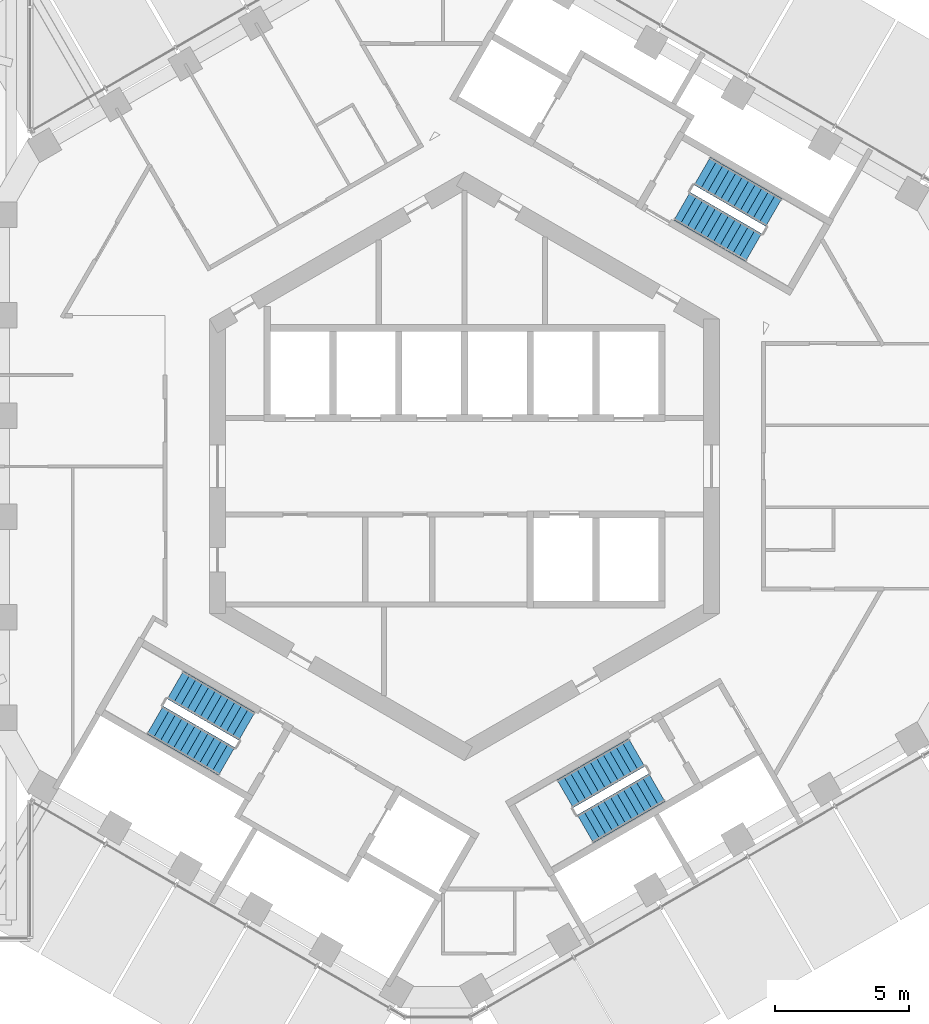
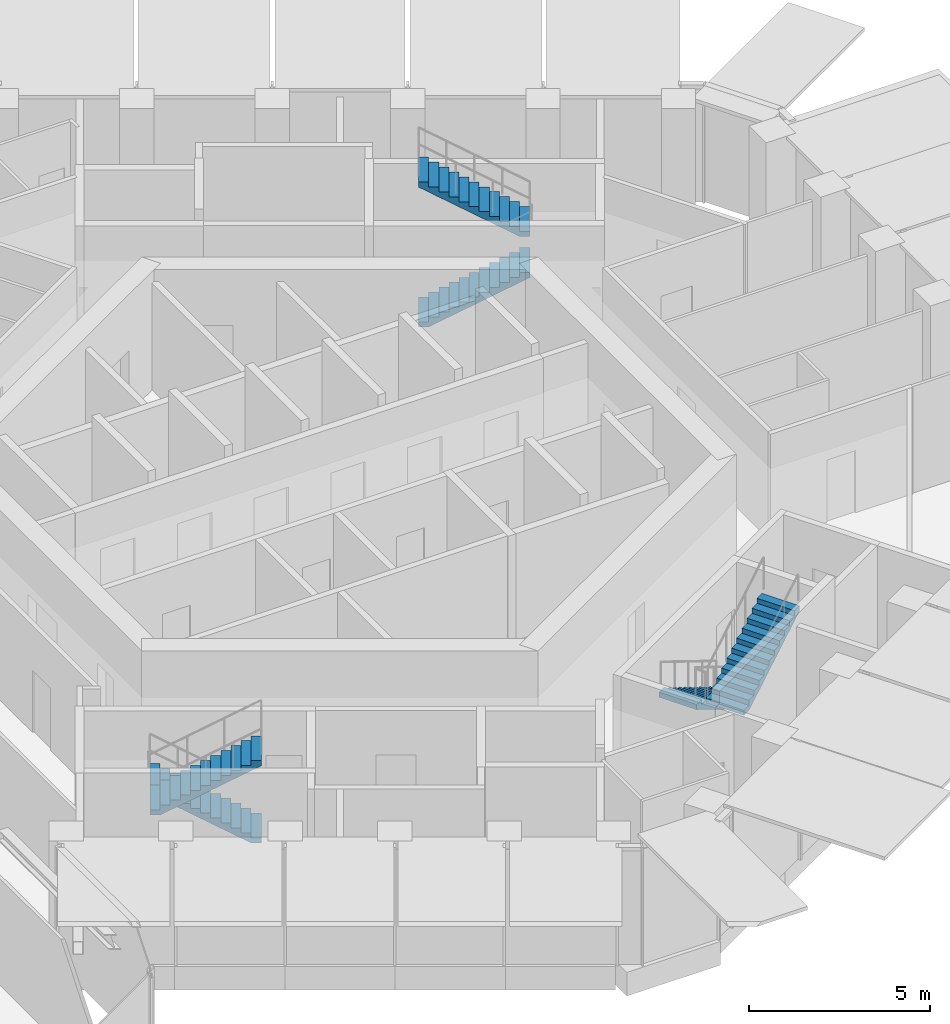
# One storey, part 22 of 24: 6 stair flights, 3 elements without a shape of their own.
"""IFC4 building model written with IfcOpenShell, lengths in metres."""

from ifc_helpers import new_model, si_unit, direction, frame, origin, place, context, subcontext, project, spatial, triangles, material, type_object, element, aggregate, save


model = new_model("IFC4")

# Units and contexts
model_context = context("Model", 3, precision=1e-05, world=origin(), true_north=direction((0.0, 1.0)))
body_context = subcontext(model_context, "Body", "Model", "MODEL_VIEW")
ifc_project = project(units=[si_unit("LENGTHUNIT", "METRE"), si_unit("AREAUNIT", "SQUARE_METRE"), si_unit("VOLUMEUNIT", "CUBIC_METRE"), si_unit("PLANEANGLEUNIT", "RADIAN"), si_unit("MASSUNIT", "GRAM", prefix="KILO")], contexts=[model_context])

# Site, building, storey
site_placement = place(None, origin())
site = spatial("IfcSite", under=ifc_project, at=site_placement, CompositionType="ELEMENT")
building_placement = place(site_placement, origin())
building = spatial("IfcBuilding", under=site, at=building_placement, Name="Ayvan Gate Tower", CompositionType="ELEMENT")
storey_placement = place(building_placement, frame((0.0, 0.0, 210.10009765625)))
storey = spatial("IfcBuildingStorey", under=building, at=storey_placement, Name="L56", CompositionType="ELEMENT", Elevation=210.10009765625)

# Stair, stair flights
ifc_material = material(Name="Concrete C40/50", Category="concrete")
stair_type = type_object("IfcStairType", Name="ST-EXIT", PredefinedType="HALF_TURN_STAIR", material=ifc_material)
stair_1_placement = place(storey_placement, origin())
stair_1 = element("IfcStair", 1, at=stair_1_placement, inside=storey, type_object=stair_type, Name="L56 Exit Stair S1", PredefinedType="HALF_TURN_STAIR")
stair_flight_type = type_object("IfcStairFlightType", Name="SFL-EXIT", PredefinedType="STRAIGHT", material=ifc_material)
stair_flight_1_placement = place(storey_placement, frame((8.106201171875, 9.690185546875, 0.0), z_axis=(0.0, 0.0, 1.0), x_axis=(0.866025403784, -0.5, 0.0)))
stair_flight_1 = element("IfcStairFlight", 2, at=stair_flight_1_placement, type_object=stair_flight_type, Name="STS1 flight 1", NumberOfRisers=12, NumberOfTreads=11, PredefinedType="STRAIGHT", RiserHeight=0.166666667, TreadLength=0.28, context=body_context, shape_type="Tessellation", body=[
    triangles([(0.293073, -0.599976, 0.0), (3.0805, -0.599976, 1.659182), (3.0805, -0.599976, 1.833333), (2.8, -0.599976, 1.833333), (2.8, -0.599976, 1.666667), (2.52, -0.599976, 1.666667), (2.52, -0.599976, 1.5), (2.24, -0.599976, 1.5), (2.24, -0.599976, 1.333333), (1.96, -0.599976, 1.333333), (1.96, -0.599976, 1.166667), (1.68, -0.599976, 1.166667), (1.68, -0.599976, 1.0), (1.4, -0.599976, 1.0), (1.4, -0.599976, 0.833333), (1.12, -0.599976, 0.833333), (1.12, -0.599976, 0.666667), (0.84, -0.599976, 0.666667), (0.84, -0.599976, 0.5), (0.56, -0.599976, 0.5), (0.56, -0.599976, 0.333333), (0.28, -0.599976, 0.333333), (0.28, -0.599976, 0.166667), (-0.0005, -0.599976, 0.166667), (-0.0005, -0.599976, 0.0), (0.293073, 0.0, 0.0), (3.0805, 0.0, 1.659182), (3.0805, 0.0, 1.833333), (2.8, 0.0, 1.833333), (2.8, 0.0, 1.666667), (2.52, 0.0, 1.666667), (2.52, 0.0, 1.5), (2.24, 0.0, 1.5), (2.24, 0.0, 1.333333), (1.96, 0.0, 1.333333), (1.96, 0.0, 1.166667), (1.68, 0.0, 1.166667), (1.68, 0.0, 1.0), (1.4, 0.0, 1.0), (1.4, 0.0, 0.833333), (1.12, 0.0, 0.833333), (1.12, 0.0, 0.666667), (0.84, 0.0, 0.666667), (0.84, 0.0, 0.5), (0.56, 0.0, 0.5), (0.56, 0.0, 0.333333), (0.28, 0.0, 0.333333), (0.28, 0.0, 0.166667), (-0.0005, 0.0, 0.166667), (-0.0005, 0.0, 0.0), (0.293073, 0.599976, 0.0), (3.0805, 0.599976, 1.659182), (3.0805, 0.599976, 1.833333), (2.8, 0.599976, 1.833333), (2.8, 0.599976, 1.666667), (2.52, 0.599976, 1.666667), (2.52, 0.599976, 1.5), (2.24, 0.599976, 1.5), (2.24, 0.599976, 1.333333), (1.96, 0.599976, 1.333333), (1.96, 0.599976, 1.166667), (1.68, 0.599976, 1.166667), (1.68, 0.599976, 1.0), (1.4, 0.599976, 1.0), (1.4, 0.599976, 0.833333), (1.12, 0.599976, 0.833333), (1.12, 0.599976, 0.666667), (0.84, 0.599976, 0.666667), (0.84, 0.599976, 0.5), (0.56, 0.599976, 0.5), (0.56, 0.599976, 0.333333), (0.28, 0.599976, 0.333333), (0.28, 0.599976, 0.166667), (-0.0005, 0.599976, 0.166667), (-0.0005, 0.599976, 0.0)], [[25, 1, 2], [75, 52, 51], [2, 3, 4], [52, 54, 53], [2, 4, 5], [52, 55, 54], [2, 5, 6], [52, 56, 55], [2, 6, 7], [52, 57, 56], [7, 8, 9], [57, 59, 58], [2, 7, 9], [52, 59, 57], [9, 10, 11], [59, 61, 60], [2, 9, 11], [52, 61, 59], [11, 12, 13], [61, 63, 62], [2, 11, 13], [52, 63, 61], [13, 14, 15], [63, 65, 64], [2, 13, 15], [52, 65, 63], [15, 16, 17], [65, 67, 66], [2, 15, 17], [52, 67, 65], [17, 18, 19], [67, 69, 68], [2, 17, 19], [52, 69, 67], [19, 20, 21], [69, 71, 70], [2, 19, 21], [52, 71, 69], [21, 22, 23], [71, 73, 72], [2, 21, 23], [52, 73, 71], [25, 2, 23], [75, 73, 52], [23, 24, 25], [73, 75, 74], [1, 26, 27], [1, 27, 2], [51, 27, 26], [51, 52, 27], [2, 27, 28], [2, 28, 3], [52, 28, 27], [52, 53, 28], [3, 28, 29], [3, 29, 4], [53, 29, 28], [53, 54, 29], [4, 29, 30], [4, 30, 5], [54, 30, 29], [54, 55, 30], [5, 30, 31], [5, 31, 6], [55, 31, 30], [55, 56, 31], [6, 31, 32], [6, 32, 7], [56, 32, 31], [56, 57, 32], [7, 32, 33], [7, 33, 8], [57, 33, 32], [57, 58, 33], [8, 33, 34], [8, 34, 9], [58, 34, 33], [58, 59, 34], [9, 34, 35], [9, 35, 10], [59, 35, 34], [59, 60, 35], [10, 35, 36], [10, 36, 11], [60, 36, 35], [60, 61, 36], [11, 36, 37], [11, 37, 12], [61, 37, 36], [61, 62, 37], [12, 37, 38], [12, 38, 13], [62, 38, 37], [62, 63, 38], [13, 38, 39], [13, 39, 14], [63, 39, 38], [63, 64, 39], [14, 39, 40], [14, 40, 15], [64, 40, 39], [64, 65, 40], [15, 40, 41], [15, 41, 16], [65, 41, 40], [65, 66, 41], [16, 41, 42], [16, 42, 17], [66, 42, 41], [66, 67, 42], [17, 42, 43], [17, 43, 18], [67, 43, 42], [67, 68, 43], [18, 43, 44], [18, 44, 19], [68, 44, 43], [68, 69, 44], [19, 44, 45], [19, 45, 20], [69, 45, 44], [69, 70, 45], [20, 45, 46], [20, 46, 21], [70, 46, 45], [70, 71, 46], [21, 46, 47], [21, 47, 22], [71, 47, 46], [71, 72, 47], [22, 47, 48], [22, 48, 23], [72, 48, 47], [72, 73, 48], [23, 48, 49], [23, 49, 24], [73, 49, 48], [73, 74, 49], [24, 49, 50], [24, 50, 25], [74, 50, 49], [74, 75, 50], [25, 50, 26], [25, 26, 1], [75, 26, 50], [75, 51, 26]], closed=True),
])
stair_flight_2_placement = place(storey_placement, frame((11.528564453125, 9.457763671875, 2.0), z_axis=(0.0, 0.0, 1.0), x_axis=(-0.866025403784, 0.5, 0.0)))
stair_flight_2 = element("IfcStairFlight", 3, at=stair_flight_2_placement, type_object=stair_flight_type, Name="STS1 flight 2", NumberOfRisers=12, NumberOfTreads=11, PredefinedType="STRAIGHT", RiserHeight=0.166666667, TreadLength=0.28, context=body_context, shape_type="Tessellation", body=[
    triangles([(0.293073, -0.599976, 0.0), (3.0805, -0.599976, 1.659182), (3.0805, -0.599976, 1.833333), (2.8, -0.599976, 1.833333), (2.8, -0.599976, 1.666667), (2.52, -0.599976, 1.666667), (2.52, -0.599976, 1.5), (2.24, -0.599976, 1.5), (2.24, -0.599976, 1.333333), (1.96, -0.599976, 1.333333), (1.96, -0.599976, 1.166667), (1.68, -0.599976, 1.166667), (1.68, -0.599976, 1.0), (1.4, -0.599976, 1.0), (1.4, -0.599976, 0.833333), (1.12, -0.599976, 0.833333), (1.12, -0.599976, 0.666667), (0.84, -0.599976, 0.666667), (0.84, -0.599976, 0.5), (0.56, -0.599976, 0.5), (0.56, -0.599976, 0.333333), (0.28, -0.599976, 0.333333), (0.28, -0.599976, 0.166667), (-0.0005, -0.599976, 0.166667), (-0.0005, -0.599976, 0.0), (0.293073, 0.0, 0.0), (3.0805, 0.0, 1.659182), (3.0805, 0.0, 1.833333), (2.8, 0.0, 1.833333), (2.8, 0.0, 1.666667), (2.52, 0.0, 1.666667), (2.52, 0.0, 1.5), (2.24, 0.0, 1.5), (2.24, 0.0, 1.333333), (1.96, 0.0, 1.333333), (1.96, 0.0, 1.166667), (1.68, 0.0, 1.166667), (1.68, 0.0, 1.0), (1.4, 0.0, 1.0), (1.4, 0.0, 0.833333), (1.12, 0.0, 0.833333), (1.12, 0.0, 0.666667), (0.84, 0.0, 0.666667), (0.84, 0.0, 0.5), (0.56, 0.0, 0.5), (0.56, 0.0, 0.333333), (0.28, 0.0, 0.333333), (0.28, 0.0, 0.166667), (-0.0005, 0.0, 0.166667), (-0.0005, 0.0, 0.0), (0.293073, 0.599976, 0.0), (3.0805, 0.599976, 1.659182), (3.0805, 0.599976, 1.833333), (2.8, 0.599976, 1.833333), (2.8, 0.599976, 1.666667), (2.52, 0.599976, 1.666667), (2.52, 0.599976, 1.5), (2.24, 0.599976, 1.5), (2.24, 0.599976, 1.333333), (1.96, 0.599976, 1.333333), (1.96, 0.599976, 1.166667), (1.68, 0.599976, 1.166667), (1.68, 0.599976, 1.0), (1.4, 0.599976, 1.0), (1.4, 0.599976, 0.833333), (1.12, 0.599976, 0.833333), (1.12, 0.599976, 0.666667), (0.84, 0.599976, 0.666667), (0.84, 0.599976, 0.5), (0.56, 0.599976, 0.5), (0.56, 0.599976, 0.333333), (0.28, 0.599976, 0.333333), (0.28, 0.599976, 0.166667), (-0.0005, 0.599976, 0.166667), (-0.0005, 0.599976, 0.0)], [[25, 1, 2], [75, 52, 51], [2, 3, 4], [52, 54, 53], [2, 4, 5], [52, 55, 54], [2, 5, 6], [52, 56, 55], [2, 6, 7], [52, 57, 56], [7, 8, 9], [57, 59, 58], [2, 7, 9], [52, 59, 57], [9, 10, 11], [59, 61, 60], [2, 9, 11], [52, 61, 59], [11, 12, 13], [61, 63, 62], [2, 11, 13], [52, 63, 61], [13, 14, 15], [63, 65, 64], [2, 13, 15], [52, 65, 63], [15, 16, 17], [65, 67, 66], [2, 15, 17], [52, 67, 65], [17, 18, 19], [67, 69, 68], [2, 17, 19], [52, 69, 67], [19, 20, 21], [69, 71, 70], [2, 19, 21], [52, 71, 69], [21, 22, 23], [71, 73, 72], [2, 21, 23], [52, 73, 71], [25, 2, 23], [75, 73, 52], [23, 24, 25], [73, 75, 74], [1, 26, 27], [1, 27, 2], [51, 27, 26], [51, 52, 27], [2, 27, 28], [2, 28, 3], [52, 28, 27], [52, 53, 28], [3, 28, 29], [3, 29, 4], [53, 29, 28], [53, 54, 29], [4, 29, 30], [4, 30, 5], [54, 30, 29], [54, 55, 30], [5, 30, 31], [5, 31, 6], [55, 31, 30], [55, 56, 31], [6, 31, 32], [6, 32, 7], [56, 32, 31], [56, 57, 32], [7, 32, 33], [7, 33, 8], [57, 33, 32], [57, 58, 33], [8, 33, 34], [8, 34, 9], [58, 34, 33], [58, 59, 34], [9, 34, 35], [9, 35, 10], [59, 35, 34], [59, 60, 35], [10, 35, 36], [10, 36, 11], [60, 36, 35], [60, 61, 36], [11, 36, 37], [11, 37, 12], [61, 37, 36], [61, 62, 37], [12, 37, 38], [12, 38, 13], [62, 38, 37], [62, 63, 38], [13, 38, 39], [13, 39, 14], [63, 39, 38], [63, 64, 39], [14, 39, 40], [14, 40, 15], [64, 40, 39], [64, 65, 40], [15, 40, 41], [15, 41, 16], [65, 41, 40], [65, 66, 41], [16, 41, 42], [16, 42, 17], [66, 42, 41], [66, 67, 42], [17, 42, 43], [17, 43, 18], [67, 43, 42], [67, 68, 43], [18, 43, 44], [18, 44, 19], [68, 44, 43], [68, 69, 44], [19, 44, 45], [19, 45, 20], [69, 45, 44], [69, 70, 45], [20, 45, 46], [20, 46, 21], [70, 46, 45], [70, 71, 46], [21, 46, 47], [21, 47, 22], [71, 47, 46], [71, 72, 47], [22, 47, 48], [22, 48, 23], [72, 48, 47], [72, 73, 48], [23, 48, 49], [23, 49, 24], [73, 49, 48], [73, 74, 49], [24, 49, 50], [24, 50, 25], [74, 50, 49], [74, 75, 50], [25, 50, 26], [25, 26, 1], [75, 26, 50], [75, 51, 26]], closed=True),
])
aggregate(stair_1, [stair_flight_1, stair_flight_2])

stair_2_placement = place(storey_placement, origin())
stair_2 = element("IfcStair", 4, at=stair_2_placement, inside=storey, type_object=stair_type, Name="L56 Exit Stair S2", PredefinedType="HALF_TURN_STAIR")
stair_flight_3_placement = place(storey_placement, frame((-8.106201171875, -9.690185546875, 0.0), z_axis=(0.0, 0.0, 1.0), x_axis=(-0.866025403784, 0.5, 0.0)))
stair_flight_3 = element("IfcStairFlight", 5, at=stair_flight_3_placement, type_object=stair_flight_type, Name="STS2 flight 1", NumberOfRisers=12, NumberOfTreads=11, PredefinedType="STRAIGHT", RiserHeight=0.166666667, TreadLength=0.28, context=body_context, shape_type="Tessellation", body=[
    triangles([(0.293073, -0.599976, 0.0), (3.0805, -0.599976, 1.659182), (3.0805, -0.599976, 1.833333), (2.8, -0.599976, 1.833333), (2.8, -0.599976, 1.666667), (2.52, -0.599976, 1.666667), (2.52, -0.599976, 1.5), (2.24, -0.599976, 1.5), (2.24, -0.599976, 1.333333), (1.96, -0.599976, 1.333333), (1.96, -0.599976, 1.166667), (1.68, -0.599976, 1.166667), (1.68, -0.599976, 1.0), (1.4, -0.599976, 1.0), (1.4, -0.599976, 0.833333), (1.12, -0.599976, 0.833333), (1.12, -0.599976, 0.666667), (0.84, -0.599976, 0.666667), (0.84, -0.599976, 0.5), (0.56, -0.599976, 0.5), (0.56, -0.599976, 0.333333), (0.28, -0.599976, 0.333333), (0.28, -0.599976, 0.166667), (-0.0005, -0.599976, 0.166667), (-0.0005, -0.599976, 0.0), (0.293073, 0.0, 0.0), (3.0805, 0.0, 1.659182), (3.0805, 0.0, 1.833333), (2.8, 0.0, 1.833333), (2.8, 0.0, 1.666667), (2.52, 0.0, 1.666667), (2.52, 0.0, 1.5), (2.24, 0.0, 1.5), (2.24, 0.0, 1.333333), (1.96, 0.0, 1.333333), (1.96, 0.0, 1.166667), (1.68, 0.0, 1.166667), (1.68, 0.0, 1.0), (1.4, 0.0, 1.0), (1.4, 0.0, 0.833333), (1.12, 0.0, 0.833333), (1.12, 0.0, 0.666667), (0.84, 0.0, 0.666667), (0.84, 0.0, 0.5), (0.56, 0.0, 0.5), (0.56, 0.0, 0.333333), (0.28, 0.0, 0.333333), (0.28, 0.0, 0.166667), (-0.0005, 0.0, 0.166667), (-0.0005, 0.0, 0.0), (0.293073, 0.599976, 0.0), (3.0805, 0.599976, 1.659182), (3.0805, 0.599976, 1.833333), (2.8, 0.599976, 1.833333), (2.8, 0.599976, 1.666667), (2.52, 0.599976, 1.666667), (2.52, 0.599976, 1.5), (2.24, 0.599976, 1.5), (2.24, 0.599976, 1.333333), (1.96, 0.599976, 1.333333), (1.96, 0.599976, 1.166667), (1.68, 0.599976, 1.166667), (1.68, 0.599976, 1.0), (1.4, 0.599976, 1.0), (1.4, 0.599976, 0.833333), (1.12, 0.599976, 0.833333), (1.12, 0.599976, 0.666667), (0.84, 0.599976, 0.666667), (0.84, 0.599976, 0.5), (0.56, 0.599976, 0.5), (0.56, 0.599976, 0.333333), (0.28, 0.599976, 0.333333), (0.28, 0.599976, 0.166667), (-0.0005, 0.599976, 0.166667), (-0.0005, 0.599976, 0.0)], [[25, 1, 2], [75, 52, 51], [2, 3, 4], [52, 54, 53], [2, 4, 5], [52, 55, 54], [2, 5, 6], [52, 56, 55], [2, 6, 7], [52, 57, 56], [7, 8, 9], [57, 59, 58], [2, 7, 9], [52, 59, 57], [9, 10, 11], [59, 61, 60], [2, 9, 11], [52, 61, 59], [11, 12, 13], [61, 63, 62], [2, 11, 13], [52, 63, 61], [13, 14, 15], [63, 65, 64], [2, 13, 15], [52, 65, 63], [15, 16, 17], [65, 67, 66], [2, 15, 17], [52, 67, 65], [17, 18, 19], [67, 69, 68], [2, 17, 19], [52, 69, 67], [19, 20, 21], [69, 71, 70], [2, 19, 21], [52, 71, 69], [21, 22, 23], [71, 73, 72], [2, 21, 23], [52, 73, 71], [25, 2, 23], [75, 73, 52], [23, 24, 25], [73, 75, 74], [1, 26, 27], [1, 27, 2], [51, 27, 26], [51, 52, 27], [2, 27, 28], [2, 28, 3], [52, 28, 27], [52, 53, 28], [3, 28, 29], [3, 29, 4], [53, 29, 28], [53, 54, 29], [4, 29, 30], [4, 30, 5], [54, 30, 29], [54, 55, 30], [5, 30, 31], [5, 31, 6], [55, 31, 30], [55, 56, 31], [6, 31, 32], [6, 32, 7], [56, 32, 31], [56, 57, 32], [7, 32, 33], [7, 33, 8], [57, 33, 32], [57, 58, 33], [8, 33, 34], [8, 34, 9], [58, 34, 33], [58, 59, 34], [9, 34, 35], [9, 35, 10], [59, 35, 34], [59, 60, 35], [10, 35, 36], [10, 36, 11], [60, 36, 35], [60, 61, 36], [11, 36, 37], [11, 37, 12], [61, 37, 36], [61, 62, 37], [12, 37, 38], [12, 38, 13], [62, 38, 37], [62, 63, 38], [13, 38, 39], [13, 39, 14], [63, 39, 38], [63, 64, 39], [14, 39, 40], [14, 40, 15], [64, 40, 39], [64, 65, 40], [15, 40, 41], [15, 41, 16], [65, 41, 40], [65, 66, 41], [16, 41, 42], [16, 42, 17], [66, 42, 41], [66, 67, 42], [17, 42, 43], [17, 43, 18], [67, 43, 42], [67, 68, 43], [18, 43, 44], [18, 44, 19], [68, 44, 43], [68, 69, 44], [19, 44, 45], [19, 45, 20], [69, 45, 44], [69, 70, 45], [20, 45, 46], [20, 46, 21], [70, 46, 45], [70, 71, 46], [21, 46, 47], [21, 47, 22], [71, 47, 46], [71, 72, 47], [22, 47, 48], [22, 48, 23], [72, 48, 47], [72, 73, 48], [23, 48, 49], [23, 49, 24], [73, 49, 48], [73, 74, 49], [24, 49, 50], [24, 50, 25], [74, 50, 49], [74, 75, 50], [25, 50, 26], [25, 26, 1], [75, 26, 50], [75, 51, 26]], closed=True),
])
stair_flight_4_placement = place(storey_placement, frame((-11.528564453125, -9.457763671875, 2.0), z_axis=(0.0, 0.0, 1.0), x_axis=(0.866025403784, -0.5, 0.0)))
stair_flight_4 = element("IfcStairFlight", 6, at=stair_flight_4_placement, type_object=stair_flight_type, Name="STS2 flight 2", NumberOfRisers=12, NumberOfTreads=11, PredefinedType="STRAIGHT", RiserHeight=0.166666667, TreadLength=0.28, context=body_context, shape_type="Tessellation", body=[
    triangles([(0.293073, -0.599976, 0.0), (3.0805, -0.599976, 1.659182), (3.0805, -0.599976, 1.833333), (2.8, -0.599976, 1.833333), (2.8, -0.599976, 1.666667), (2.52, -0.599976, 1.666667), (2.52, -0.599976, 1.5), (2.24, -0.599976, 1.5), (2.24, -0.599976, 1.333333), (1.96, -0.599976, 1.333333), (1.96, -0.599976, 1.166667), (1.68, -0.599976, 1.166667), (1.68, -0.599976, 1.0), (1.4, -0.599976, 1.0), (1.4, -0.599976, 0.833333), (1.12, -0.599976, 0.833333), (1.12, -0.599976, 0.666667), (0.84, -0.599976, 0.666667), (0.84, -0.599976, 0.5), (0.56, -0.599976, 0.5), (0.56, -0.599976, 0.333333), (0.28, -0.599976, 0.333333), (0.28, -0.599976, 0.166667), (-0.0005, -0.599976, 0.166667), (-0.0005, -0.599976, 0.0), (0.293073, 0.0, 0.0), (3.0805, 0.0, 1.659182), (3.0805, 0.0, 1.833333), (2.8, 0.0, 1.833333), (2.8, 0.0, 1.666667), (2.52, 0.0, 1.666667), (2.52, 0.0, 1.5), (2.24, 0.0, 1.5), (2.24, 0.0, 1.333333), (1.96, 0.0, 1.333333), (1.96, 0.0, 1.166667), (1.68, 0.0, 1.166667), (1.68, 0.0, 1.0), (1.4, 0.0, 1.0), (1.4, 0.0, 0.833333), (1.12, 0.0, 0.833333), (1.12, 0.0, 0.666667), (0.84, 0.0, 0.666667), (0.84, 0.0, 0.5), (0.56, 0.0, 0.5), (0.56, 0.0, 0.333333), (0.28, 0.0, 0.333333), (0.28, 0.0, 0.166667), (-0.0005, 0.0, 0.166667), (-0.0005, 0.0, 0.0), (0.293073, 0.599976, 0.0), (3.0805, 0.599976, 1.659182), (3.0805, 0.599976, 1.833333), (2.8, 0.599976, 1.833333), (2.8, 0.599976, 1.666667), (2.52, 0.599976, 1.666667), (2.52, 0.599976, 1.5), (2.24, 0.599976, 1.5), (2.24, 0.599976, 1.333333), (1.96, 0.599976, 1.333333), (1.96, 0.599976, 1.166667), (1.68, 0.599976, 1.166667), (1.68, 0.599976, 1.0), (1.4, 0.599976, 1.0), (1.4, 0.599976, 0.833333), (1.12, 0.599976, 0.833333), (1.12, 0.599976, 0.666667), (0.84, 0.599976, 0.666667), (0.84, 0.599976, 0.5), (0.56, 0.599976, 0.5), (0.56, 0.599976, 0.333333), (0.28, 0.599976, 0.333333), (0.28, 0.599976, 0.166667), (-0.0005, 0.599976, 0.166667), (-0.0005, 0.599976, 0.0)], [[25, 1, 2], [75, 52, 51], [2, 3, 4], [52, 54, 53], [2, 4, 5], [52, 55, 54], [2, 5, 6], [52, 56, 55], [2, 6, 7], [52, 57, 56], [7, 8, 9], [57, 59, 58], [2, 7, 9], [52, 59, 57], [9, 10, 11], [59, 61, 60], [2, 9, 11], [52, 61, 59], [11, 12, 13], [61, 63, 62], [2, 11, 13], [52, 63, 61], [13, 14, 15], [63, 65, 64], [2, 13, 15], [52, 65, 63], [15, 16, 17], [65, 67, 66], [2, 15, 17], [52, 67, 65], [17, 18, 19], [67, 69, 68], [2, 17, 19], [52, 69, 67], [19, 20, 21], [69, 71, 70], [2, 19, 21], [52, 71, 69], [21, 22, 23], [71, 73, 72], [2, 21, 23], [52, 73, 71], [25, 2, 23], [75, 73, 52], [23, 24, 25], [73, 75, 74], [1, 26, 27], [1, 27, 2], [51, 27, 26], [51, 52, 27], [2, 27, 28], [2, 28, 3], [52, 28, 27], [52, 53, 28], [3, 28, 29], [3, 29, 4], [53, 29, 28], [53, 54, 29], [4, 29, 30], [4, 30, 5], [54, 30, 29], [54, 55, 30], [5, 30, 31], [5, 31, 6], [55, 31, 30], [55, 56, 31], [6, 31, 32], [6, 32, 7], [56, 32, 31], [56, 57, 32], [7, 32, 33], [7, 33, 8], [57, 33, 32], [57, 58, 33], [8, 33, 34], [8, 34, 9], [58, 34, 33], [58, 59, 34], [9, 34, 35], [9, 35, 10], [59, 35, 34], [59, 60, 35], [10, 35, 36], [10, 36, 11], [60, 36, 35], [60, 61, 36], [11, 36, 37], [11, 37, 12], [61, 37, 36], [61, 62, 37], [12, 37, 38], [12, 38, 13], [62, 38, 37], [62, 63, 38], [13, 38, 39], [13, 39, 14], [63, 39, 38], [63, 64, 39], [14, 39, 40], [14, 40, 15], [64, 40, 39], [64, 65, 40], [15, 40, 41], [15, 41, 16], [65, 41, 40], [65, 66, 41], [16, 41, 42], [16, 42, 17], [66, 42, 41], [66, 67, 42], [17, 42, 43], [17, 43, 18], [67, 43, 42], [67, 68, 43], [18, 43, 44], [18, 44, 19], [68, 44, 43], [68, 69, 44], [19, 44, 45], [19, 45, 20], [69, 45, 44], [69, 70, 45], [20, 45, 46], [20, 46, 21], [70, 46, 45], [70, 71, 46], [21, 46, 47], [21, 47, 22], [71, 47, 46], [71, 72, 47], [22, 47, 48], [22, 48, 23], [72, 48, 47], [72, 73, 48], [23, 48, 49], [23, 49, 24], [73, 49, 48], [73, 74, 49], [24, 49, 50], [24, 50, 25], [74, 50, 49], [74, 75, 50], [25, 50, 26], [25, 26, 1], [75, 26, 50], [75, 51, 26]], closed=True),
])
aggregate(stair_2, [stair_flight_3, stair_flight_4])

stair_3_placement = place(storey_placement, origin())
stair_3 = element("IfcStair", 7, at=stair_3_placement, inside=storey, type_object=stair_type, Name="L56 Exit Stair S3", PredefinedType="HALF_TURN_STAIR")
stair_flight_5_placement = place(storey_placement, frame((6.417236328125, -10.665283203125, 0.0), z_axis=(0.0, 0.0, 1.0), x_axis=(-0.866025403784, -0.5, 0.0)))
stair_flight_5 = element("IfcStairFlight", 8, at=stair_flight_5_placement, type_object=stair_flight_type, Name="STS3 flight 1", NumberOfRisers=12, NumberOfTreads=11, PredefinedType="STRAIGHT", RiserHeight=0.166666667, TreadLength=0.28, context=body_context, shape_type="Tessellation", body=[
    triangles([(0.293073, -0.599976, 0.0), (3.0805, -0.599976, 1.659182), (3.0805, -0.599976, 1.833333), (2.8, -0.599976, 1.833333), (2.8, -0.599976, 1.666667), (2.52, -0.599976, 1.666667), (2.52, -0.599976, 1.5), (2.24, -0.599976, 1.5), (2.24, -0.599976, 1.333333), (1.96, -0.599976, 1.333333), (1.96, -0.599976, 1.166667), (1.68, -0.599976, 1.166667), (1.68, -0.599976, 1.0), (1.4, -0.599976, 1.0), (1.4, -0.599976, 0.833333), (1.12, -0.599976, 0.833333), (1.12, -0.599976, 0.666667), (0.84, -0.599976, 0.666667), (0.84, -0.599976, 0.5), (0.56, -0.599976, 0.5), (0.56, -0.599976, 0.333333), (0.28, -0.599976, 0.333333), (0.28, -0.599976, 0.166667), (-0.0005, -0.599976, 0.166667), (-0.0005, -0.599976, 0.0), (0.293073, 0.0, 0.0), (3.0805, 0.0, 1.659182), (3.0805, 0.0, 1.833333), (2.8, 0.0, 1.833333), (2.8, 0.0, 1.666667), (2.52, 0.0, 1.666667), (2.52, 0.0, 1.5), (2.24, 0.0, 1.5), (2.24, 0.0, 1.333333), (1.96, 0.0, 1.333333), (1.96, 0.0, 1.166667), (1.68, 0.0, 1.166667), (1.68, 0.0, 1.0), (1.4, 0.0, 1.0), (1.4, 0.0, 0.833333), (1.12, 0.0, 0.833333), (1.12, 0.0, 0.666667), (0.84, 0.0, 0.666667), (0.84, 0.0, 0.5), (0.56, 0.0, 0.5), (0.56, 0.0, 0.333333), (0.28, 0.0, 0.333333), (0.28, 0.0, 0.166667), (-0.0005, 0.0, 0.166667), (-0.0005, 0.0, 0.0), (0.293073, 0.599976, 0.0), (3.0805, 0.599976, 1.659182), (3.0805, 0.599976, 1.833333), (2.8, 0.599976, 1.833333), (2.8, 0.599976, 1.666667), (2.52, 0.599976, 1.666667), (2.52, 0.599976, 1.5), (2.24, 0.599976, 1.5), (2.24, 0.599976, 1.333333), (1.96, 0.599976, 1.333333), (1.96, 0.599976, 1.166667), (1.68, 0.599976, 1.166667), (1.68, 0.599976, 1.0), (1.4, 0.599976, 1.0), (1.4, 0.599976, 0.833333), (1.12, 0.599976, 0.833333), (1.12, 0.599976, 0.666667), (0.84, 0.599976, 0.666667), (0.84, 0.599976, 0.5), (0.56, 0.599976, 0.5), (0.56, 0.599976, 0.333333), (0.28, 0.599976, 0.333333), (0.28, 0.599976, 0.166667), (-0.0005, 0.599976, 0.166667), (-0.0005, 0.599976, 0.0)], [[25, 1, 2], [75, 52, 51], [2, 3, 4], [52, 54, 53], [2, 4, 5], [52, 55, 54], [2, 5, 6], [52, 56, 55], [2, 6, 7], [52, 57, 56], [7, 8, 9], [57, 59, 58], [2, 7, 9], [52, 59, 57], [9, 10, 11], [59, 61, 60], [2, 9, 11], [52, 61, 59], [11, 12, 13], [61, 63, 62], [2, 11, 13], [52, 63, 61], [13, 14, 15], [63, 65, 64], [2, 13, 15], [52, 65, 63], [15, 16, 17], [65, 67, 66], [2, 15, 17], [52, 67, 65], [17, 18, 19], [67, 69, 68], [2, 17, 19], [52, 69, 67], [19, 20, 21], [69, 71, 70], [2, 19, 21], [52, 71, 69], [21, 22, 23], [71, 73, 72], [2, 21, 23], [52, 73, 71], [25, 2, 23], [75, 73, 52], [23, 24, 25], [73, 75, 74], [1, 26, 27], [1, 27, 2], [51, 27, 26], [51, 52, 27], [2, 27, 28], [2, 28, 3], [52, 28, 27], [52, 53, 28], [3, 28, 29], [3, 29, 4], [53, 29, 28], [53, 54, 29], [4, 29, 30], [4, 30, 5], [54, 30, 29], [54, 55, 30], [5, 30, 31], [5, 31, 6], [55, 31, 30], [55, 56, 31], [6, 31, 32], [6, 32, 7], [56, 32, 31], [56, 57, 32], [7, 32, 33], [7, 33, 8], [57, 33, 32], [57, 58, 33], [8, 33, 34], [8, 34, 9], [58, 34, 33], [58, 59, 34], [9, 34, 35], [9, 35, 10], [59, 35, 34], [59, 60, 35], [10, 35, 36], [10, 36, 11], [60, 36, 35], [60, 61, 36], [11, 36, 37], [11, 37, 12], [61, 37, 36], [61, 62, 37], [12, 37, 38], [12, 38, 13], [62, 38, 37], [62, 63, 38], [13, 38, 39], [13, 39, 14], [63, 39, 38], [63, 64, 39], [14, 39, 40], [14, 40, 15], [64, 40, 39], [64, 65, 40], [15, 40, 41], [15, 41, 16], [65, 41, 40], [65, 66, 41], [16, 41, 42], [16, 42, 17], [66, 42, 41], [66, 67, 42], [17, 42, 43], [17, 43, 18], [67, 43, 42], [67, 68, 43], [18, 43, 44], [18, 44, 19], [68, 44, 43], [68, 69, 44], [19, 44, 45], [19, 45, 20], [69, 45, 44], [69, 70, 45], [20, 45, 46], [20, 46, 21], [70, 46, 45], [70, 71, 46], [21, 46, 47], [21, 47, 22], [71, 47, 46], [71, 72, 47], [22, 47, 48], [22, 48, 23], [72, 48, 47], [72, 73, 48], [23, 48, 49], [23, 49, 24], [73, 49, 48], [73, 74, 49], [24, 49, 50], [24, 50, 25], [74, 50, 49], [74, 75, 50], [25, 50, 26], [25, 26, 1], [75, 26, 50], [75, 51, 26]], closed=True),
])
stair_flight_6_placement = place(storey_placement, frame((4.5048828125, -13.512939453125, 2.0), z_axis=(0.0, 0.0, 1.0), x_axis=(0.866025403784, 0.5, 0.0)))
stair_flight_6 = element("IfcStairFlight", 9, at=stair_flight_6_placement, type_object=stair_flight_type, Name="STS3 flight 2", NumberOfRisers=12, NumberOfTreads=11, PredefinedType="STRAIGHT", RiserHeight=0.166666667, TreadLength=0.28, context=body_context, shape_type="Tessellation", body=[
    triangles([(0.293073, -0.599976, 0.0), (3.0805, -0.599976, 1.659182), (3.0805, -0.599976, 1.833333), (2.8, -0.599976, 1.833333), (2.8, -0.599976, 1.666667), (2.52, -0.599976, 1.666667), (2.52, -0.599976, 1.5), (2.24, -0.599976, 1.5), (2.24, -0.599976, 1.333333), (1.96, -0.599976, 1.333333), (1.96, -0.599976, 1.166667), (1.68, -0.599976, 1.166667), (1.68, -0.599976, 1.0), (1.4, -0.599976, 1.0), (1.4, -0.599976, 0.833333), (1.12, -0.599976, 0.833333), (1.12, -0.599976, 0.666667), (0.84, -0.599976, 0.666667), (0.84, -0.599976, 0.5), (0.56, -0.599976, 0.5), (0.56, -0.599976, 0.333333), (0.28, -0.599976, 0.333333), (0.28, -0.599976, 0.166667), (-0.0005, -0.599976, 0.166667), (-0.0005, -0.599976, 0.0), (0.293073, 0.0, 0.0), (3.0805, 0.0, 1.659182), (3.0805, 0.0, 1.833333), (2.8, 0.0, 1.833333), (2.8, 0.0, 1.666667), (2.52, 0.0, 1.666667), (2.52, 0.0, 1.5), (2.24, 0.0, 1.5), (2.24, 0.0, 1.333333), (1.96, 0.0, 1.333333), (1.96, 0.0, 1.166667), (1.68, 0.0, 1.166667), (1.68, 0.0, 1.0), (1.4, 0.0, 1.0), (1.4, 0.0, 0.833333), (1.12, 0.0, 0.833333), (1.12, 0.0, 0.666667), (0.84, 0.0, 0.666667), (0.84, 0.0, 0.5), (0.56, 0.0, 0.5), (0.56, 0.0, 0.333333), (0.28, 0.0, 0.333333), (0.28, 0.0, 0.166667), (-0.0005, 0.0, 0.166667), (-0.0005, 0.0, 0.0), (0.293073, 0.599976, 0.0), (3.0805, 0.599976, 1.659182), (3.0805, 0.599976, 1.833333), (2.8, 0.599976, 1.833333), (2.8, 0.599976, 1.666667), (2.52, 0.599976, 1.666667), (2.52, 0.599976, 1.5), (2.24, 0.599976, 1.5), (2.24, 0.599976, 1.333333), (1.96, 0.599976, 1.333333), (1.96, 0.599976, 1.166667), (1.68, 0.599976, 1.166667), (1.68, 0.599976, 1.0), (1.4, 0.599976, 1.0), (1.4, 0.599976, 0.833333), (1.12, 0.599976, 0.833333), (1.12, 0.599976, 0.666667), (0.84, 0.599976, 0.666667), (0.84, 0.599976, 0.5), (0.56, 0.599976, 0.5), (0.56, 0.599976, 0.333333), (0.28, 0.599976, 0.333333), (0.28, 0.599976, 0.166667), (-0.0005, 0.599976, 0.166667), (-0.0005, 0.599976, 0.0)], [[25, 1, 2], [75, 52, 51], [2, 3, 4], [52, 54, 53], [2, 4, 5], [52, 55, 54], [2, 5, 6], [52, 56, 55], [2, 6, 7], [52, 57, 56], [7, 8, 9], [57, 59, 58], [2, 7, 9], [52, 59, 57], [9, 10, 11], [59, 61, 60], [2, 9, 11], [52, 61, 59], [11, 12, 13], [61, 63, 62], [2, 11, 13], [52, 63, 61], [13, 14, 15], [63, 65, 64], [2, 13, 15], [52, 65, 63], [15, 16, 17], [65, 67, 66], [2, 15, 17], [52, 67, 65], [17, 18, 19], [67, 69, 68], [2, 17, 19], [52, 69, 67], [19, 20, 21], [69, 71, 70], [2, 19, 21], [52, 71, 69], [21, 22, 23], [71, 73, 72], [2, 21, 23], [52, 73, 71], [25, 2, 23], [75, 73, 52], [23, 24, 25], [73, 75, 74], [1, 26, 27], [1, 27, 2], [51, 27, 26], [51, 52, 27], [2, 27, 28], [2, 28, 3], [52, 28, 27], [52, 53, 28], [3, 28, 29], [3, 29, 4], [53, 29, 28], [53, 54, 29], [4, 29, 30], [4, 30, 5], [54, 30, 29], [54, 55, 30], [5, 30, 31], [5, 31, 6], [55, 31, 30], [55, 56, 31], [6, 31, 32], [6, 32, 7], [56, 32, 31], [56, 57, 32], [7, 32, 33], [7, 33, 8], [57, 33, 32], [57, 58, 33], [8, 33, 34], [8, 34, 9], [58, 34, 33], [58, 59, 34], [9, 34, 35], [9, 35, 10], [59, 35, 34], [59, 60, 35], [10, 35, 36], [10, 36, 11], [60, 36, 35], [60, 61, 36], [11, 36, 37], [11, 37, 12], [61, 37, 36], [61, 62, 37], [12, 37, 38], [12, 38, 13], [62, 38, 37], [62, 63, 38], [13, 38, 39], [13, 39, 14], [63, 39, 38], [63, 64, 39], [14, 39, 40], [14, 40, 15], [64, 40, 39], [64, 65, 40], [15, 40, 41], [15, 41, 16], [65, 41, 40], [65, 66, 41], [16, 41, 42], [16, 42, 17], [66, 42, 41], [66, 67, 42], [17, 42, 43], [17, 43, 18], [67, 43, 42], [67, 68, 43], [18, 43, 44], [18, 44, 19], [68, 44, 43], [68, 69, 44], [19, 44, 45], [19, 45, 20], [69, 45, 44], [69, 70, 45], [20, 45, 46], [20, 46, 21], [70, 46, 45], [70, 71, 46], [21, 46, 47], [21, 47, 22], [71, 47, 46], [71, 72, 47], [22, 47, 48], [22, 48, 23], [72, 48, 47], [72, 73, 48], [23, 48, 49], [23, 49, 24], [73, 49, 48], [73, 74, 49], [24, 49, 50], [24, 50, 25], [74, 50, 49], [74, 75, 50], [25, 50, 26], [25, 26, 1], [75, 26, 50], [75, 51, 26]], closed=True),
])
aggregate(stair_3, [stair_flight_5, stair_flight_6])

save(model, "model.ifc")
